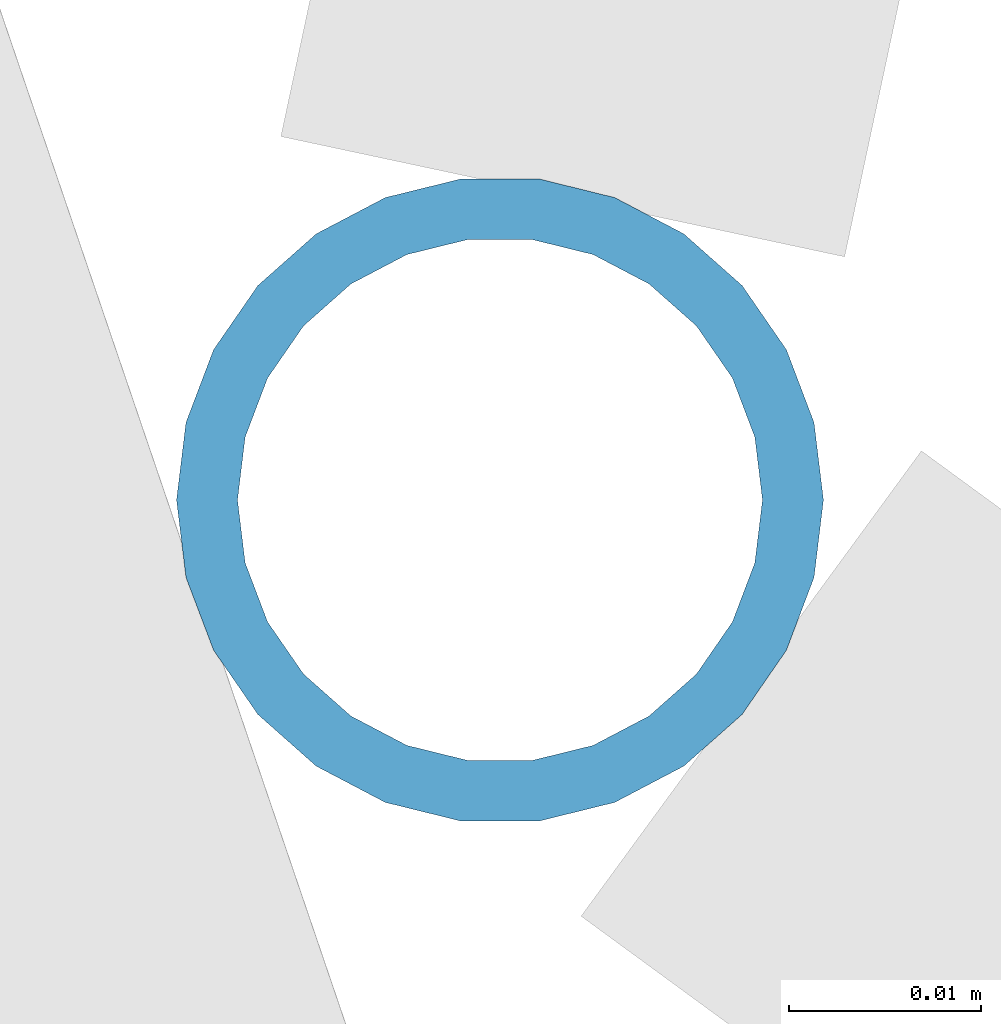
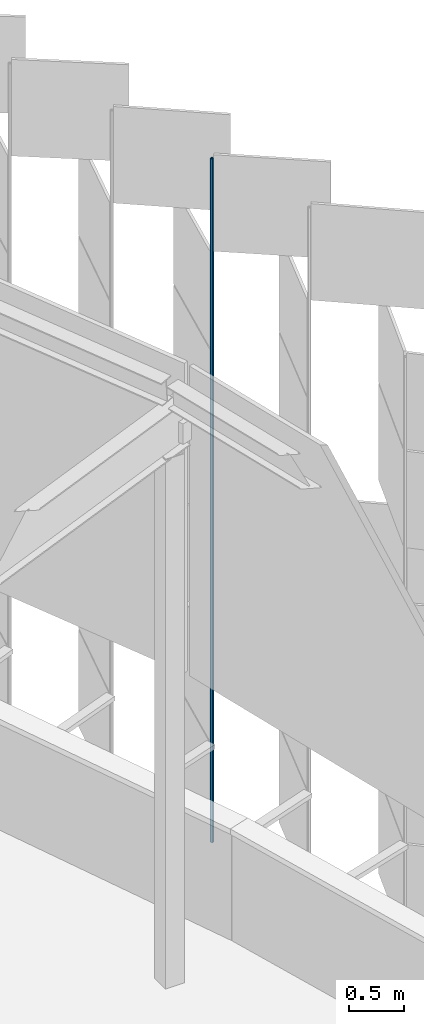
# One storey, part 297 of 483: 1 discrete accessory.
"""IFC4 building model written with IfcOpenShell, lengths in metres."""

from ifc_helpers import new_model, si_unit, direction, frame, origin, origin_2d, place, context, subcontext, project, spatial, hollow_circle, extrude, material, material_profile, profile_set, type_object, element, save


model = new_model("IFC4")

# Units and contexts
model_context = context("Model", 3, precision=1e-05, world=origin(), true_north=direction((0.0, 1.0)))
body_context = subcontext(model_context, "Body", "Model", "MODEL_VIEW")
ifc_project = project(units=[si_unit("LENGTHUNIT", "METRE"), si_unit("AREAUNIT", "SQUARE_METRE"), si_unit("VOLUMEUNIT", "CUBIC_METRE"), si_unit("PLANEANGLEUNIT", "RADIAN"), si_unit("MASSUNIT", "GRAM", prefix="KILO")], contexts=[model_context])

# Site, building, storey
site_placement = place(None, origin())
site = spatial("IfcSite", under=ifc_project, at=site_placement, CompositionType="ELEMENT")
building_placement = place(site_placement, origin())
building = spatial("IfcBuilding", under=site, at=building_placement, Name="Parallax Yard Mobility Hub", CompositionType="ELEMENT")
storey_placement = place(building_placement, frame((0.0, 0.0, 13.199951171875)))
storey = spatial("IfcBuildingStorey", under=building, at=storey_placement, Name="L04", CompositionType="ELEMENT", Elevation=13.199951171875)

# Discrete accessory
ifc_material = material(Name="Steel ASTM A500 Gr C, hot-dip galvanised", Category="steel")
ifc_material_profile = material_profile(ifc_material, hollow_circle(Radius=0.016845703125, WallThickness=0.003173828125, at=origin_2d()), Name="CHS 33.7x3.2")
ifc_profile_set = profile_set([ifc_material_profile], Name="Steel ASTM A500 Gr C, hot-dip galvanised")
discrete_accessory_type = type_object("IfcDiscreteAccessoryType", Name="Hinge post CHS 33.7x3.2", PredefinedType="BRACKET", material=ifc_profile_set)
discrete_accessory_placement = place(storey_placement, frame((222.829345703125, 107.60693359375, 0.0), z_axis=(0.0, 0.0, 1.0), x_axis=(1.0, 0.0, 0.0)))
element("IfcDiscreteAccessory", 1, at=discrete_accessory_placement, inside=storey, type_object=discrete_accessory_type, Name="Hinge post bay 43.2 level L04", PredefinedType="BRACKET", context=body_context, shape_type="SweptSolid", body=[
    extrude(hollow_circle(Radius=0.016845703125, WallThickness=0.003173828125, at=origin_2d()), origin(), (0.0, 0.0, 1.0), 7.650146484375),
])

save(model, "model.ifc")
